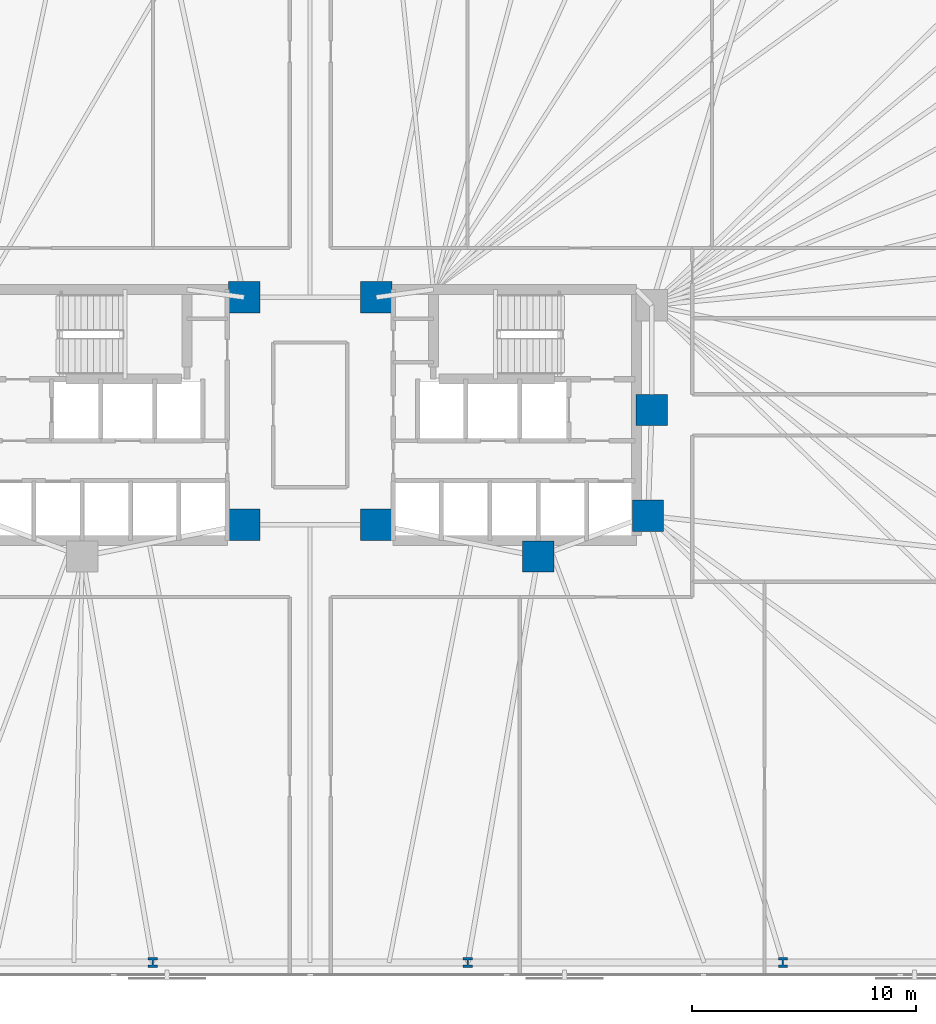
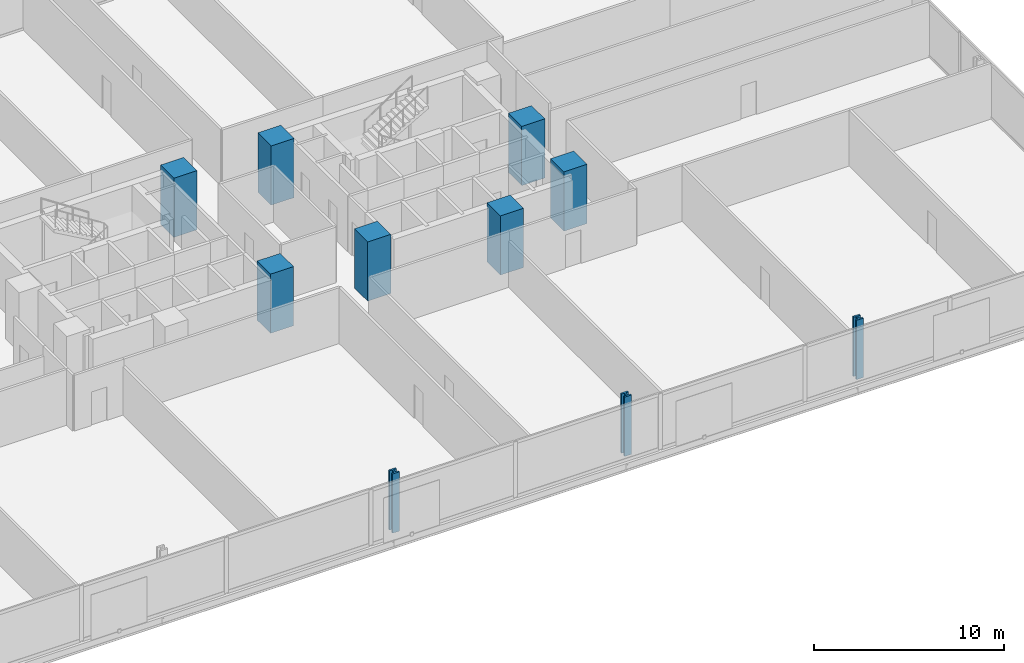
# One storey, part 3 of 17: 10 columns.
"""IFC4 building model written with IfcOpenShell, lengths in metres."""

import ifcopenshell
import ifcopenshell.guid

model = None  # the IFC model being written
_history = None  # IfcOwnerHistory: only IFC2X3 demands one
_inside = {}  # id of a spatial element -> (the spatial element, [elements in it])
_under = {}  # id of a project, library or spatial element -> (it, [spatial elements below it])
_declared = {}  # id of a project -> (the project, [libraries it declares])
_typed = {}  # id of a type object -> (the type object, [elements of that type])
_made_of = {}  # id of a material, layer set ... -> (it, [elements and type objects made of it])


def new_model(schema):
    """Start an empty IFC model of exactly this schema.

    Asked for "IFC4X3", IfcOpenShell would pick the latest addendum, in which some entities
    have other attributes; the version numbers below select the first issue.
    IFC2X3 requires an IfcOwnerHistory on every rooted entity: one is made here for all.
    """
    global model, _history
    if schema == "IFC4X3":
        model = ifcopenshell.file(schema_version=(4, 3, 0, 0))
    else:
        model = ifcopenshell.file(schema=schema)
    _inside.clear()
    _under.clear()
    _declared.clear()
    _typed.clear()
    _made_of.clear()
    _history = None
    if model.schema == "IFC2X3":
        org = make("IfcOrganization", Name="unknown")
        user = make(
            "IfcPersonAndOrganization",
            ThePerson=make("IfcPerson", FamilyName="unknown"),
            TheOrganization=org,
        )
        app = make(
            "IfcApplication",
            ApplicationDeveloper=org,
            Version="unknown",
            ApplicationFullName="unknown",
            ApplicationIdentifier="unknown",
        )
        _history = make(
            "IfcOwnerHistory",
            OwningUser=user,
            OwningApplication=app,
            ChangeAction="ADDED",
            CreationDate=0,
        )
    return model


def make(cls, **values):
    """One entity of the class cls with the attributes given. An attribute that is None is left unset."""
    return model.create_entity(
        cls, **{name: value for name, value in values.items() if value is not None}
    )


def rooted(cls, **values):
    """An entity with a GlobalId (a new one), such as an element, a storey or a relation."""
    return make(cls, GlobalId=ifcopenshell.guid.new(), OwnerHistory=_history, **values)


def si_unit(unit_type, name, prefix=None):
    """IfcSIUnit, for example si_unit("LENGTHUNIT", "METRE", prefix="MILLI")."""
    return make("IfcSIUnit", UnitType=unit_type, Prefix=prefix, Name=name)


def assignment(units):
    """IfcUnitAssignment: the units of a project."""
    return None if units is None else make("IfcUnitAssignment", Units=units)


def point(xyz):
    """IfcCartesianPoint."""
    return None if xyz is None else make("IfcCartesianPoint", Coordinates=xyz)


def direction(xyz):
    """IfcDirection."""
    return None if xyz is None else make("IfcDirection", DirectionRatios=xyz)


def frame(location, z_axis=None, x_axis=None):
    """IfcAxis2Placement3D, a coordinate frame: its origin and axes. An axis left out is left unset."""
    return make(
        "IfcAxis2Placement3D",
        Location=point(location),
        Axis=direction(z_axis),
        RefDirection=direction(x_axis),
    )


def frame_2d(location, x_axis=None):
    """IfcAxis2Placement2D, a coordinate frame in the plane: its origin and x axis."""
    return make(
        "IfcAxis2Placement2D", Location=point(location), RefDirection=direction(x_axis)
    )


def origin():
    """The frame at (0, 0, 0) with its axes left unset."""
    return frame((0.0, 0.0, 0.0))


def origin_2d():
    """The frame at (0, 0) in the plane with its x axis left unset."""
    return frame_2d((0.0, 0.0))


def place(relative_to, where):
    """IfcLocalPlacement: puts the frame where relative to a parent placement (None: the world)."""
    return make(
        "IfcLocalPlacement", PlacementRelTo=relative_to, RelativePlacement=where
    )


def context(
    kind, dimensions, precision=None, world=None, true_north=None, identifier=None
):
    """IfcGeometricRepresentationContext, for example the 3D "Model" context."""
    return make(
        "IfcGeometricRepresentationContext",
        ContextIdentifier=identifier,
        ContextType=kind,
        CoordinateSpaceDimension=dimensions,
        Precision=precision,
        WorldCoordinateSystem=world,
        TrueNorth=true_north,
    )


def subcontext(parent, identifier, kind, view, scale=None):
    """IfcGeometricRepresentationSubContext, for example "Body" below "Model"."""
    return make(
        "IfcGeometricRepresentationSubContext",
        ContextIdentifier=identifier,
        ContextType=kind,
        ParentContext=parent,
        TargetScale=scale,
        TargetView=view,
    )


def project(units=None, contexts=None):
    """IfcProject with its units and contexts."""
    return rooted(
        "IfcProject",
        Name="project",
        RepresentationContexts=contexts,
        UnitsInContext=assignment(units),
    )


def spatial(cls, under=None, at=None, **own):
    """A site, building, storey or space (cls), placed at a placement, below another one or the project."""
    s = rooted(cls, ObjectPlacement=at, **own)
    if under is not None:
        _under.setdefault(under.id(), (under, []))[1].append(s)
    return s


def profile(cls, at=None, kind="AREA", **sizes):
    """A parametric profile (cls). Its sizes go by their IFC names, for example OverallWidth=200.0."""
    return make(cls, ProfileType=kind, Position=at, **sizes)


def rectangle(**sizes):
    """IfcRectangleProfileDef."""
    return profile("IfcRectangleProfileDef", **sizes)


def i_section(**sizes):
    """IfcIShapeProfileDef."""
    return profile("IfcIShapeProfileDef", **sizes)


def extrude(swept, where, along, depth):
    """IfcExtrudedAreaSolid: the profile swept, set in the frame where, extruded along a direction by depth."""
    return make(
        "IfcExtrudedAreaSolid",
        SweptArea=swept,
        Position=where,
        ExtrudedDirection=direction(along),
        Depth=depth,
    )


def shape(context_of_items, identifier, shape_type, items):
    """IfcShapeRepresentation: the items that make up one representation, for example the "Body"."""
    return make(
        "IfcShapeRepresentation",
        ContextOfItems=context_of_items,
        RepresentationIdentifier=identifier,
        RepresentationType=shape_type,
        Items=items,
    )


def material(Name=None, Category=None):
    """IfcMaterial."""
    return make("IfcMaterial", Name=Name, Category=Category)


def material_profile(
    of_material, cross_section, Name=None, Category=None, Priority=None
):
    """IfcMaterialProfile: a cross section and its material."""
    return make(
        "IfcMaterialProfile",
        Name=Name,
        Material=of_material,
        Profile=cross_section,
        Priority=Priority,
        Category=Category,
    )


def profile_set(profiles, Name=None, composite=None):
    """IfcMaterialProfileSet."""
    return make(
        "IfcMaterialProfileSet",
        Name=Name,
        MaterialProfiles=profiles,
        CompositeProfile=composite,
    )


def made_of(thing, what):
    """Note that an element or type object is made of a material, layer set ...; save() writes the relation."""
    if what is not None:
        _made_of.setdefault(what.id(), (what, []))[1].append(thing)
    return thing


def type_object(cls, material=None, **own):
    """A type object (cls), such as IfcWallType, which elements share."""
    return made_of(rooted(cls, **own), material)


def element(
    cls,
    number,
    at=None,
    inside=None,
    cuts=None,
    type_object=None,
    material=None,
    context=None,
    identifier="Body",
    shape_type=None,
    held_by="IfcProductDefinitionShape",
    body=None,
    shapes=None,
    **own,
):
    """One element of the class cls, such as IfcWall. Its Tag is "e" and its number.

    at: its placement. inside: the storey or other place that contains it. cuts: it is an
    opening in that element (IfcRelVoidsElement). A single representation is given by context,
    identifier, shape_type and body (its items); several are given by shapes. held_by: the class
    of the entity that holds the representations. save() writes the other relations.
    """
    e = rooted(cls, Tag="e%d" % number, ObjectPlacement=at, **own)
    if body is not None:
        shapes = [shape(context, identifier, shape_type, body)]
    if shapes is not None:
        e.Representation = make(held_by, Representations=shapes)
    if inside is not None:
        _inside.setdefault(inside.id(), (inside, []))[1].append(e)
    if cuts is not None:
        rooted(
            "IfcRelVoidsElement", RelatingBuildingElement=cuts, RelatedOpeningElement=e
        )
    if type_object is not None:
        _typed.setdefault(type_object.id(), (type_object, []))[1].append(e)
    return made_of(e, material)


def aggregate(whole, parts):
    """IfcRelAggregates: a whole, such as a stair, and the parts it consists of."""
    return rooted("IfcRelAggregates", RelatingObject=whole, RelatedObjects=parts)


def save(model, path):
    """Write the relations noted so far, then the file.

    IfcRelAggregates (storeys below a building ...), IfcRelContainedInSpatialStructure (elements
    in a storey), IfcRelDefinesByType, IfcRelAssociatesMaterial and IfcRelDeclares: one each for
    every whole, place, type object, material and project.
    """
    for whole, parts in _under.values():
        aggregate(whole, parts)
    for where, things in _inside.values():
        rooted(
            "IfcRelContainedInSpatialStructure",
            RelatedElements=things,
            RelatingStructure=where,
        )
    for kind, things in _typed.values():
        rooted("IfcRelDefinesByType", RelatedObjects=things, RelatingType=kind)
    for what, things in _made_of.values():
        rooted("IfcRelAssociatesMaterial", RelatedObjects=things, RelatingMaterial=what)
    for by, libraries in _declared.values():
        rooted("IfcRelDeclares", RelatingContext=by, RelatedDefinitions=libraries)
    model.write(path)


model = new_model("IFC4")

# Units and contexts
model_context = context("Model", 3, precision=1e-05, world=origin(), true_north=direction((0.0, 1.0)))
body_context = subcontext(model_context, "Body", "Model", "MODEL_VIEW")
ifc_project = project(units=[si_unit("LENGTHUNIT", "METRE"), si_unit("AREAUNIT", "SQUARE_METRE"), si_unit("VOLUMEUNIT", "CUBIC_METRE"), si_unit("PLANEANGLEUNIT", "RADIAN"), si_unit("MASSUNIT", "GRAM", prefix="KILO")], contexts=[model_context])

# Site, building, storey
site_placement = place(None, origin())
site = spatial("IfcSite", under=ifc_project, at=site_placement, CompositionType="ELEMENT")
building_placement = place(site_placement, origin())
building = spatial("IfcBuilding", under=site, at=building_placement, Name="Menara Jurai Vektor", CompositionType="ELEMENT")
storey_placement = place(building_placement, frame((0.0, 0.0, 25.60009765625)))
storey = spatial("IfcBuildingStorey", under=building, at=storey_placement, Name="L05", CompositionType="ELEMENT", Elevation=25.60009765625)

# Columns
ifc_material_1 = material(Name="Concrete C60/75", Category="concrete")
ifc_material_profile_1 = material_profile(ifc_material_1, rectangle(XDim=1.39990234375, YDim=1.39990234375, at=origin_2d()), Name="RC 1400x1400")
ifc_profile_set_1 = profile_set([ifc_material_profile_1], Name="Concrete C60/75")
column_type_1 = type_object("IfcColumnType", Name="STR-COL-RC1400", PredefinedType="COLUMN", material=ifc_profile_set_1)
for number, where, z_axis, x_axis, name in (
    (1, (-2.949951171875, -4.89990234375, 0.0), (0.0, 0.0, 1.0), (1.0, 0.0, 0.0), "Core Spine Column CW-SE L05"),
    (2, (-2.949951171875, 5.25, 0.0), (0.0, 0.0, 1.0), (1.0, 0.0, 0.0), "Core Spine Column CW-NE L05"),
    (3, (15.25, 0.219970703125, 0.0), (0.0, 0.0, 1.0), (1.0, 0.0, 0.0), "Core Spine Column CE-EM L05"),
    (4, (15.080078125, -4.5, 0.0), (0.0, 0.0, 1.0), (1.0, 0.0, 0.0), "Core Spine Column CE-SE L05"),
    (5, (10.179931640625, -6.320068359375, 0.0), (0.0, 0.0, 1.0), (1.0, 0.0, 0.0), "Core Spine Column CE-SM L05"),
    (6, (2.949951171875, -4.89990234375, 0.0), (0.0, 0.0, 1.0), (1.0, 0.0, 0.0), "Core Spine Column CE-SW L05"),
    (7, (2.949951171875, 5.25, 0.0), (0.0, 0.0, 1.0), (1.0, 0.0, 0.0), "Core Spine Column CE-NW L05"),
):
    element("IfcColumn", number, at=place(storey_placement, frame(where, z_axis=z_axis, x_axis=x_axis)), inside=storey, type_object=column_type_1, Name=name, PredefinedType="COLUMN", context=body_context, shape_type="SweptSolid", body=[
        extrude(rectangle(XDim=1.39990234375, YDim=1.39990234375, at=origin_2d()), origin(), (0.0, 0.0, 1.0), 3.7998046875),
    ])
ifc_material_2 = material(Name="Steel S460", Category="steel")
ifc_material_profile_2 = material_profile(ifc_material_2, i_section(OverallWidth=0.419921875, OverallDepth=0.430908203125, WebThickness=0.06494140625, FlangeThickness=0.10595703125, FilletRadius=0.014892578125, at=origin_2d()), Name="HD 400x900")
ifc_profile_set_2 = profile_set([ifc_material_profile_2], Name="Steel S460")
column_type_2 = type_object("IfcColumnType", Name="STR-EXO-BLK1", PredefinedType="COLUMN", material=ifc_profile_set_2)
for number, where, z_axis, x_axis, name in (
    (8, (-7.03564453125, -24.449951171875, 0.0), (0.0, 0.0, 1.0), (1.0, 0.0, 0.0), "Exoskeleton Column BLK1-S3 L05"),
    (9, (7.03564453125, -24.449951171875, 0.0), (0.0, 0.0, 1.0), (1.0, 0.0, 0.0), "Exoskeleton Column BLK1-S4 L05"),
    (10, (21.106689453125, -24.449951171875, 0.0), (0.0, 0.0, 1.0), (1.0, 0.0, 0.0), "Exoskeleton Column BLK1-S5 L05"),
):
    element("IfcColumn", number, at=place(storey_placement, frame(where, z_axis=z_axis, x_axis=x_axis)), inside=storey, type_object=column_type_2, Name=name, PredefinedType="COLUMN", context=body_context, shape_type="SweptSolid", body=[
        extrude(i_section(OverallWidth=0.419921875, OverallDepth=0.430908203125, WebThickness=0.06494140625, FlangeThickness=0.10595703125, FilletRadius=0.014892578125, at=origin_2d()), origin(), (0.0, 0.0, 1.0), 3.7998046875),
    ])

save(model, "model.ifc")
